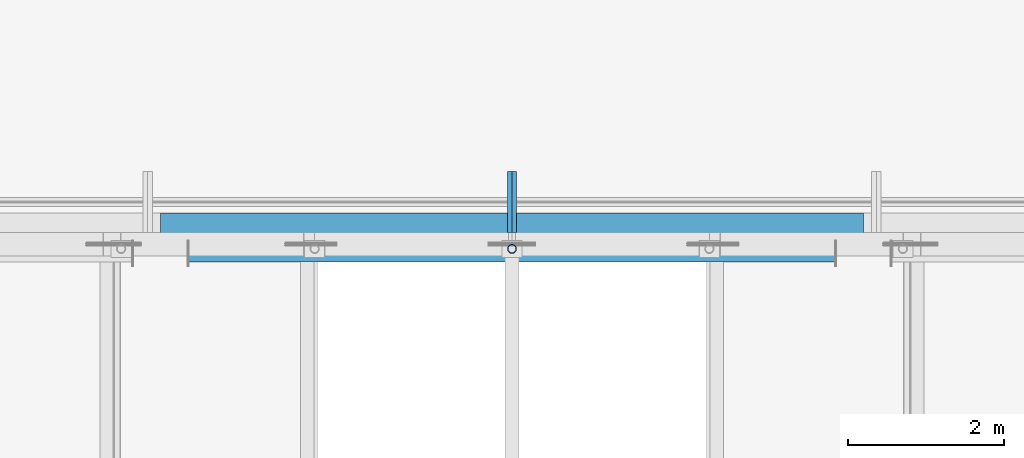
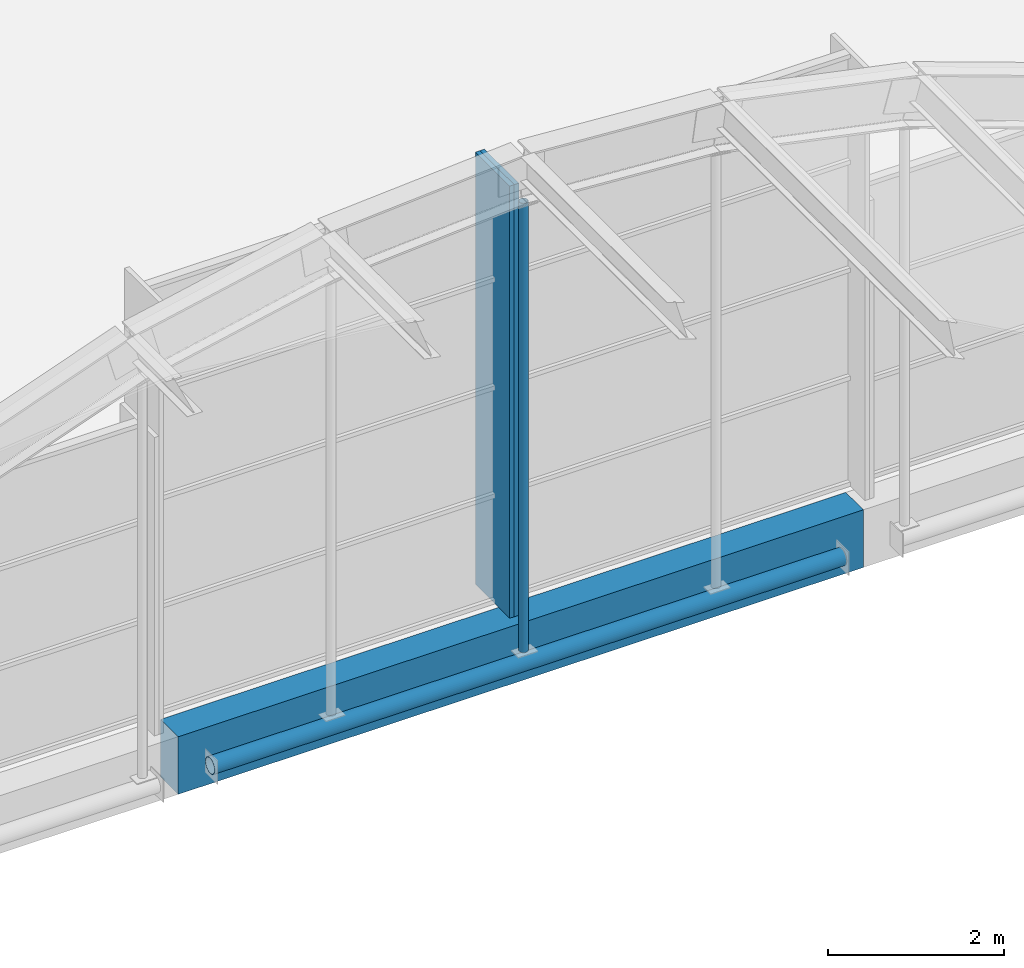
# One storey, part 15 of 43: 4 members, 1 beam, 2 elements without a shape of their own.
"""IFC4 building model written with IfcOpenShell, lengths in metres."""

from ifc_helpers import new_model, si_unit, direction, frame, origin, origin_2d, place, context, subcontext, project, spatial, rectangle, hollow_circle, extrude, material, layer, layer_set, material_profile, profile_set, type_object, element, aggregate, save


model = new_model("IFC4")

# Units and contexts
model_context = context("Model", 3, precision=1e-05, world=origin(), true_north=direction((0.0, 1.0)))
body_context = subcontext(model_context, "Body", "Model", "MODEL_VIEW")
ifc_project = project(units=[si_unit("LENGTHUNIT", "METRE"), si_unit("AREAUNIT", "SQUARE_METRE"), si_unit("VOLUMEUNIT", "CUBIC_METRE"), si_unit("PLANEANGLEUNIT", "RADIAN"), si_unit("MASSUNIT", "GRAM", prefix="KILO")], contexts=[model_context])

# Site, building, storey
site_placement = place(None, origin())
site = spatial("IfcSite", under=ifc_project, at=site_placement, CompositionType="ELEMENT")
building_placement = place(site_placement, origin())
building = spatial("IfcBuilding", under=site, at=building_placement, Name="Guidao Yard Department Store", CompositionType="ELEMENT")
storey_placement = place(building_placement, frame((0.0, 0.0, 28.5)))
storey = spatial("IfcBuildingStorey", under=building, at=storey_placement, Name="L06", CompositionType="ELEMENT", Elevation=28.5)

# Members
ifc_material_1 = material(Name="Steel Q355B", Category="steel")
ifc_material_profile_1 = material_profile(ifc_material_1, hollow_circle(Radius=0.056884765625, WallThickness=0.006103515625, at=origin_2d()), Name="CHS 114x6")
ifc_profile_set_1 = profile_set([ifc_material_profile_1], Name="Steel Q355B")
member_type_1 = type_object("IfcMemberType", Name="CHS 114x6", PredefinedType="BRACE", material=ifc_profile_set_1)
member_1_placement = place(storey_placement, frame((31.5, 89.93994140625, -0.33447265625), z_axis=(0.0, 0.0, 1.0), x_axis=(1.0, 0.0, 0.0)))
element("IfcMember", 1, at=member_1_placement, inside=storey, type_object=member_type_1, Name="Roof web strut A05-06", PredefinedType="BRACE", context=body_context, shape_type="SweptSolid", body=[
    extrude(hollow_circle(Radius=0.056884765625, WallThickness=0.006103515625, at=origin_2d()), origin(), (0.0, 0.0, 1.0), 6.238037109375),
])
ifc_material_2 = material(Name="Steel Q355B", Category="steel")
ifc_material_profile_2 = material_profile(ifc_material_2, hollow_circle(Radius=0.109619140625, WallThickness=0.010009765625, at=origin_2d()), Name="CHS 219x10")
ifc_profile_set_2 = profile_set([ifc_material_profile_2], Name="Steel Q355B")
member_type_2 = type_object("IfcMemberType", Name="CHS 219x10", PredefinedType="BRACE", material=ifc_profile_set_2)
member_2_placement = place(storey_placement, frame((27.35009765625, 89.8798828125, -0.449951171875), z_axis=(1.0, 0.0, 0.0), x_axis=(0.0, 1.0, 0.0)))
element("IfcMember", 2, at=member_2_placement, inside=storey, type_object=member_type_2, Name="Roof tie rod A05-2", PredefinedType="BRACE", context=body_context, shape_type="SweptSolid", body=[
    extrude(hollow_circle(Radius=0.109619140625, WallThickness=0.010009765625, at=origin_2d()), origin(), (0.0, 0.0, 1.0), 8.2998046875),
])

# Curtain wall, member
ifc_material_3 = material(Name="Aluminium and glass", Category="aluminium")
ifc_layer = layer(ifc_material_3, 0.159912109375)
ifc_layer_set = layer_set([ifc_layer], Name="Gable glazing CW7 1500 module")
curtain_wall_type = type_object("IfcCurtainWallType", Name="Gable glazing CW7 1500 module", PredefinedType="NOTDEFINED", material=ifc_layer_set)
curtain_wall_1_placement = place(storey_placement, origin())
curtain_wall_1 = element("IfcCurtainWall", 3, at=curtain_wall_1_placement, inside=storey, type_object=curtain_wall_type, Name="Gable glazing AN3", PredefinedType="NOTDEFINED")
ifc_material_4 = material(Name="Aluminium 6063-T5", Category="aluminium")
ifc_material_profile_3 = material_profile(ifc_material_4, rectangle(XDim=0.06005859375, YDim=0.780029296875, at=origin_2d()), Name="Mullion M3 60 x 780 aluminium pressure plate")
ifc_profile_set_3 = profile_set([ifc_material_profile_3], Name="Aluminium 6063-T5")
member_type_3 = type_object("IfcMemberType", Name="Mullion M3 60 x 780 aluminium pressure plate", PredefinedType="MULLION", material=ifc_profile_set_3)
member_3_placement = place(storey_placement, frame((31.469970703125, 90.5400390625, 0.0), z_axis=(0.0, 0.0, 1.0), x_axis=(1.0, 0.0, 0.0)))
member_3 = element("IfcMember", 4, at=member_3_placement, type_object=member_type_3, Name="CW-TAN3 mullion 2", PredefinedType="MULLION", context=body_context, shape_type="SweptSolid", body=[
    extrude(rectangle(XDim=0.06005859375, YDim=0.780029296875, at=origin_2d()), origin(), (0.0, 0.0, 1.0), 6.0),
])
aggregate(curtain_wall_1, [member_3])

curtain_wall_2_placement = place(storey_placement, origin())
curtain_wall_2 = element("IfcCurtainWall", 5, at=curtain_wall_2_placement, inside=storey, type_object=curtain_wall_type, Name="Gable glazing AN4", PredefinedType="NOTDEFINED")
member_4_placement = place(storey_placement, frame((31.530029296875, 90.5400390625, 0.0), z_axis=(0.0, 0.0, 1.0), x_axis=(1.0, 0.0, 0.0)))
member_4 = element("IfcMember", 6, at=member_4_placement, type_object=member_type_3, Name="CW-TAN4 mullion 1", PredefinedType="MULLION", context=body_context, shape_type="SweptSolid", body=[
    extrude(rectangle(XDim=0.06005859375, YDim=0.780029296875, at=origin_2d()), origin(), (0.0, 0.0, 1.0), 6.0),
])
aggregate(curtain_wall_2, [member_4])

# Beam
ifc_material_5 = material(Name="Concrete C40", Category="concrete")
ifc_material_profile_4 = material_profile(ifc_material_5, rectangle(XDim=0.39990234375, YDim=0.800048828125, at=origin_2d()), Name="Vault bearing beam 400 x 800 C40")
ifc_profile_set_4 = profile_set([ifc_material_profile_4], Name="Concrete C40")
beam_type = type_object("IfcBeamType", Name="Vault bearing beam 400 x 800 C40", PredefinedType="BEAM", material=ifc_profile_set_4)
beam_placement = place(storey_placement, frame((27.0, 90.199951171875, -0.39990234375), z_axis=(1.0, 0.0, 0.0), x_axis=(0.0, 1.0, 0.0)))
element("IfcBeam", 7, at=beam_placement, inside=storey, type_object=beam_type, Name="Beam VB13", PredefinedType="BEAM", context=body_context, shape_type="SweptSolid", body=[
    extrude(rectangle(XDim=0.39990234375, YDim=0.800048828125, at=origin_2d()), origin(), (0.0, 0.0, 1.0), 9.0),
])

save(model, "model.ifc")
